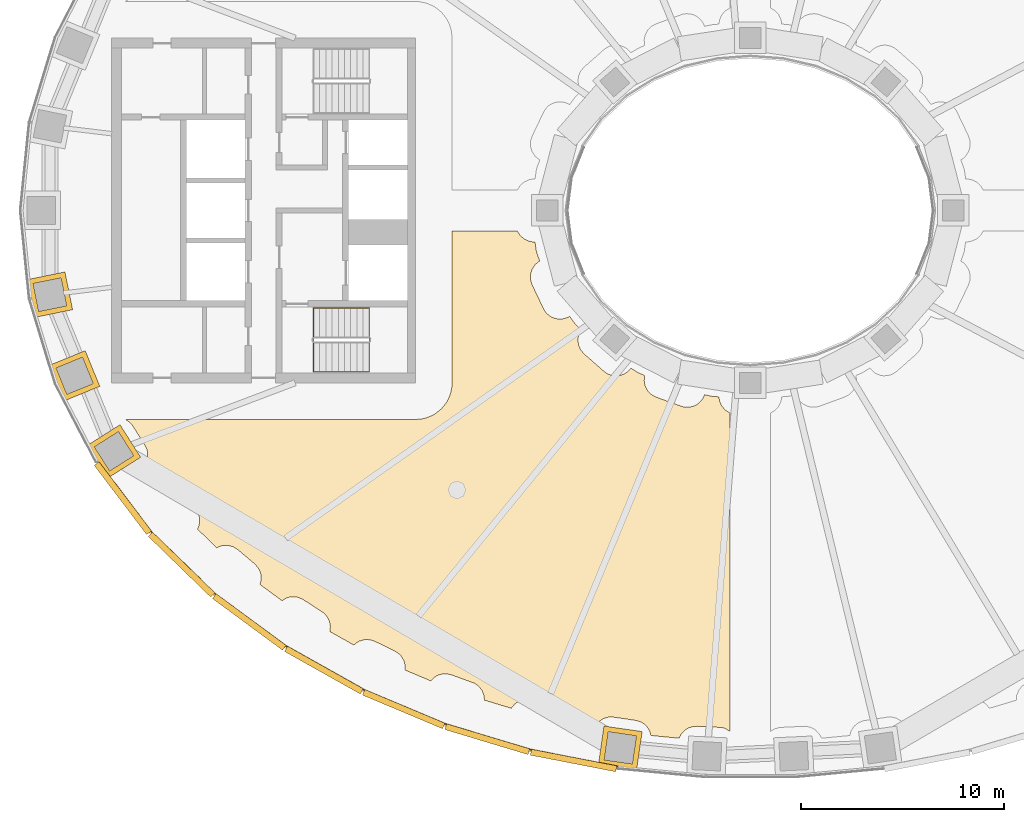
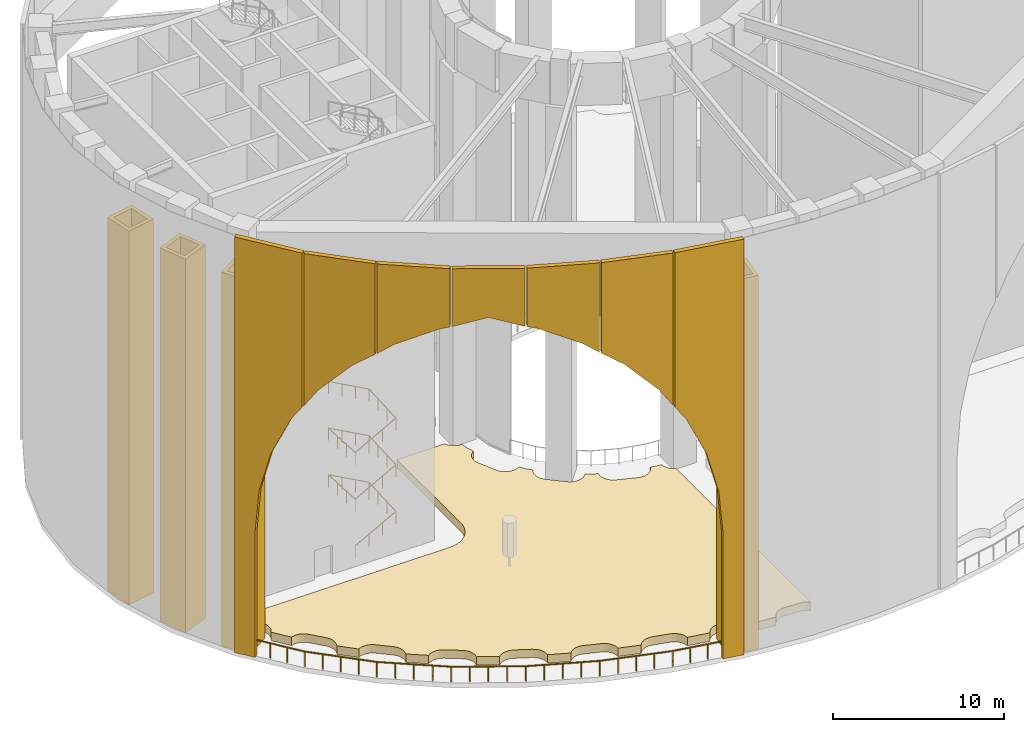
# One storey, part 14 of 26: 12 coverings, 2 railings.
"""IFC4 building model written with IfcOpenShell, lengths in metres."""

from ifc_helpers import new_model, si_unit, direction, frame, origin, origin_2d, place, context, subcontext, project, spatial, polyline, rectangle, outline, extrude, material, layer, layer_set, type_object, element, save


model = new_model("IFC4")

# Units and contexts
model_context = context("Model", 3, precision=1e-05, world=origin(), true_north=direction((0.0, 1.0)))
body_context = subcontext(model_context, "Body", "Model", "MODEL_VIEW")
ifc_project = project(units=[si_unit("LENGTHUNIT", "METRE"), si_unit("AREAUNIT", "SQUARE_METRE"), si_unit("VOLUMEUNIT", "CUBIC_METRE"), si_unit("PLANEANGLEUNIT", "RADIAN"), si_unit("MASSUNIT", "GRAM", prefix="KILO")], contexts=[model_context])

# Site, building, storey
site_placement = place(None, origin())
site = spatial("IfcSite", under=ifc_project, at=site_placement, CompositionType="ELEMENT")
building_placement = place(site_placement, origin())
building = spatial("IfcBuilding", under=site, at=building_placement, Name="Noorbagh Ring Tower", CompositionType="ELEMENT")
storey_placement = place(building_placement, frame((0.0, 0.0, 203.5)))
storey = spatial("IfcBuildingStorey", under=building, at=storey_placement, Name="L47", CompositionType="ELEMENT", Elevation=203.5)

# Railings
ifc_material_1 = material(Name="Stainless steel", Category="steel")
railing_type_1 = type_object("IfcRailingType", Name="CORE-STAIR-HANDRAIL", PredefinedType="HANDRAIL", material=ifc_material_1)
railing_1_placement = place(storey_placement, frame((-21.530029296875, -7.949951171875, 0.166748046875)))
element("IfcRailing", 1, at=railing_1_placement, inside=storey, type_object=railing_type_1, Name="L47 ST2 stair handrail", PredefinedType="HANDRAIL", context=body_context, shape_type="SweptSolid", body=[
    extrude(rectangle(XDim=0.048095703125, YDim=0.048095703125, at=origin_2d()), frame((0.0, 0.0, 0.8759765625), z_axis=(0.877537414544, 0.0, 0.479508171021), x_axis=(0.0, 1.0, 0.0)), (0.0, 0.0, 1.0), 3.128173828125),
    extrude(rectangle(XDim=0.048095703125, YDim=0.048095703125, at=origin_2d()), frame((2.7451171875, 0.0, 2.3759765625), z_axis=(0.0, 0.998605830047, 0.052786325848), x_axis=(-1.0, 0.0, 0.0)), (0.0, 0.0, 1.0), 3.154296875),
    extrude(rectangle(XDim=0.048095703125, YDim=0.048095703125, at=origin_2d()), frame((2.7451171875, 3.14990234375, 2.54248046875), z_axis=(-0.877537414544, 0.0, 0.479508171021), x_axis=(0.0, -1.0, 0.0)), (0.0, 0.0, 1.0), 3.128173828125),
    extrude(rectangle(XDim=0.048095703125, YDim=0.048095703125, at=origin_2d()), frame((0.0, 3.14990234375, 4.04248046875), z_axis=(0.0, -0.998601747152, 0.052863509014), x_axis=(1.0, 0.0, 0.0)), (0.0, 0.0, 1.0), 3.154296875),
    extrude(rectangle(XDim=0.048095703125, YDim=0.048095703125, at=origin_2d()), frame((0.0, 0.0, 4.208984375), z_axis=(0.877537414544, 0.0, 0.479508171021), x_axis=(0.0, 1.0, 0.0)), (0.0, 0.0, 1.0), 3.128173828125),
    extrude(rectangle(XDim=0.048095703125, YDim=0.048095703125, at=origin_2d()), frame((2.7451171875, 0.0, 5.708984375), z_axis=(0.0, 0.998601747152, 0.052863509014), x_axis=(-1.0, 0.0, 0.0)), (0.0, 0.0, 1.0), 3.154296875),
    extrude(rectangle(XDim=0.048095703125, YDim=0.048095703125, at=origin_2d()), frame((2.7451171875, 3.14990234375, 5.8759765625), z_axis=(-0.877537414544, 0.0, 0.479508171021), x_axis=(0.0, -1.0, 0.0)), (0.0, 0.0, 1.0), 3.128173828125),
    extrude(rectangle(XDim=0.048095703125, YDim=0.048095703125, at=origin_2d()), frame((0.0, 3.14990234375, 7.3759765625), z_axis=(0.0, -0.998605830047, 0.052786325848), x_axis=(1.0, 0.0, 0.0)), (0.0, 0.0, 1.0), 3.154296875),
    extrude(rectangle(XDim=0.048095703125, YDim=0.048095703125, at=origin_2d()), frame((0.0, 0.0, 7.54248046875), z_axis=(0.877537414544, 0.0, 0.479508171021), x_axis=(0.0, 1.0, 0.0)), (0.0, 0.0, 1.0), 3.128173828125),
    extrude(rectangle(XDim=0.048095703125, YDim=0.048095703125, at=origin_2d()), frame((2.7451171875, 0.0, 9.04248046875), z_axis=(0.0, 0.998601747152, 0.052863509014), x_axis=(-1.0, 0.0, 0.0)), (0.0, 0.0, 1.0), 3.154296875),
    extrude(rectangle(XDim=0.048095703125, YDim=0.048095703125, at=origin_2d()), frame((2.7451171875, 3.14990234375, 9.208984375), z_axis=(-0.877537414544, 0.0, 0.479508171021), x_axis=(0.0, -1.0, 0.0)), (0.0, 0.0, 1.0), 3.128173828125),
    extrude(rectangle(XDim=0.0419921875, YDim=0.0419921875, at=origin_2d()), origin(), (0.0, 0.0, 1.0), 0.851806640625),
    extrude(rectangle(XDim=0.0419921875, YDim=0.0419921875, at=origin_2d()), frame((0.9150390625, 0.0, 0.5)), (0.0, 0.0, 1.0), 0.851806640625),
    extrude(rectangle(XDim=0.0419921875, YDim=0.0419921875, at=origin_2d()), frame((1.830078125, 0.0, 1.0)), (0.0, 0.0, 1.0), 0.851806640625),
    extrude(rectangle(XDim=0.0419921875, YDim=0.0419921875, at=origin_2d()), frame((2.7451171875, 0.0, 1.5)), (0.0, 0.0, 1.0), 0.851806640625),
    extrude(rectangle(XDim=0.0419921875, YDim=0.0419921875, at=origin_2d()), frame((2.7451171875, 1.050048828125, 1.555419921875)), (0.0, 0.0, 1.0), 0.851806640625),
    extrude(rectangle(XDim=0.0419921875, YDim=0.0419921875, at=origin_2d()), frame((2.7451171875, 2.099853515625, 1.611083984375)), (0.0, 0.0, 1.0), 0.851806640625),
    extrude(rectangle(XDim=0.0419921875, YDim=0.0419921875, at=origin_2d()), frame((2.7451171875, 3.14990234375, 1.66650390625)), (0.0, 0.0, 1.0), 0.851806640625),
    extrude(rectangle(XDim=0.0419921875, YDim=0.0419921875, at=origin_2d()), frame((1.830078125, 3.14990234375, 2.16650390625)), (0.0, 0.0, 1.0), 0.851806640625),
    extrude(rectangle(XDim=0.0419921875, YDim=0.0419921875, at=origin_2d()), frame((0.9150390625, 3.14990234375, 2.66650390625)), (0.0, 0.0, 1.0), 0.851806640625),
    extrude(rectangle(XDim=0.0419921875, YDim=0.0419921875, at=origin_2d()), frame((0.0, 3.14990234375, 3.16650390625)), (0.0, 0.0, 1.0), 0.851806640625),
    extrude(rectangle(XDim=0.0419921875, YDim=0.0419921875, at=origin_2d()), frame((0.0, 2.099853515625, 3.22216796875)), (0.0, 0.0, 1.0), 0.851806640625),
    extrude(rectangle(XDim=0.0419921875, YDim=0.0419921875, at=origin_2d()), frame((0.0, 1.050048828125, 3.277587890625)), (0.0, 0.0, 1.0), 0.851806640625),
    extrude(rectangle(XDim=0.0419921875, YDim=0.0419921875, at=origin_2d()), frame((0.0, 0.0, 3.333251953125)), (0.0, 0.0, 1.0), 0.851806640625),
    extrude(rectangle(XDim=0.0419921875, YDim=0.0419921875, at=origin_2d()), frame((0.9150390625, 0.0, 3.833251953125)), (0.0, 0.0, 1.0), 0.851806640625),
    extrude(rectangle(XDim=0.0419921875, YDim=0.0419921875, at=origin_2d()), frame((1.830078125, 0.0, 4.333251953125)), (0.0, 0.0, 1.0), 0.851806640625),
    extrude(rectangle(XDim=0.0419921875, YDim=0.0419921875, at=origin_2d()), frame((2.7451171875, 0.0, 4.833251953125)), (0.0, 0.0, 1.0), 0.851806640625),
    extrude(rectangle(XDim=0.0419921875, YDim=0.0419921875, at=origin_2d()), frame((2.7451171875, 1.050048828125, 4.888916015625)), (0.0, 0.0, 1.0), 0.851806640625),
    extrude(rectangle(XDim=0.0419921875, YDim=0.0419921875, at=origin_2d()), frame((2.7451171875, 2.099853515625, 4.9443359375)), (0.0, 0.0, 1.0), 0.851806640625),
    extrude(rectangle(XDim=0.0419921875, YDim=0.0419921875, at=origin_2d()), frame((2.7451171875, 3.14990234375, 5.0)), (0.0, 0.0, 1.0), 0.851806640625),
    extrude(rectangle(XDim=0.0419921875, YDim=0.0419921875, at=origin_2d()), frame((1.830078125, 3.14990234375, 5.5)), (0.0, 0.0, 1.0), 0.851806640625),
    extrude(rectangle(XDim=0.0419921875, YDim=0.0419921875, at=origin_2d()), frame((0.9150390625, 3.14990234375, 6.0)), (0.0, 0.0, 1.0), 0.851806640625),
    extrude(rectangle(XDim=0.0419921875, YDim=0.0419921875, at=origin_2d()), frame((0.0, 3.14990234375, 6.5)), (0.0, 0.0, 1.0), 0.851806640625),
    extrude(rectangle(XDim=0.0419921875, YDim=0.0419921875, at=origin_2d()), frame((0.0, 2.099853515625, 6.555419921875)), (0.0, 0.0, 1.0), 0.851806640625),
    extrude(rectangle(XDim=0.0419921875, YDim=0.0419921875, at=origin_2d()), frame((0.0, 1.050048828125, 6.611083984375)), (0.0, 0.0, 1.0), 0.851806640625),
    extrude(rectangle(XDim=0.0419921875, YDim=0.0419921875, at=origin_2d()), frame((0.0, 0.0, 6.66650390625)), (0.0, 0.0, 1.0), 0.851806640625),
    extrude(rectangle(XDim=0.0419921875, YDim=0.0419921875, at=origin_2d()), frame((0.9150390625, 0.0, 7.16650390625)), (0.0, 0.0, 1.0), 0.851806640625),
    extrude(rectangle(XDim=0.0419921875, YDim=0.0419921875, at=origin_2d()), frame((1.830078125, 0.0, 7.66650390625)), (0.0, 0.0, 1.0), 0.851806640625),
    extrude(rectangle(XDim=0.0419921875, YDim=0.0419921875, at=origin_2d()), frame((2.7451171875, 0.0, 8.16650390625)), (0.0, 0.0, 1.0), 0.851806640625),
    extrude(rectangle(XDim=0.0419921875, YDim=0.0419921875, at=origin_2d()), frame((2.7451171875, 1.050048828125, 8.22216796875)), (0.0, 0.0, 1.0), 0.851806640625),
    extrude(rectangle(XDim=0.0419921875, YDim=0.0419921875, at=origin_2d()), frame((2.7451171875, 2.099853515625, 8.277587890625)), (0.0, 0.0, 1.0), 0.851806640625),
    extrude(rectangle(XDim=0.0419921875, YDim=0.0419921875, at=origin_2d()), frame((2.7451171875, 3.14990234375, 8.333251953125)), (0.0, 0.0, 1.0), 0.851806640625),
    extrude(rectangle(XDim=0.0419921875, YDim=0.0419921875, at=origin_2d()), frame((1.830078125, 3.14990234375, 8.833251953125)), (0.0, 0.0, 1.0), 0.851806640625),
    extrude(rectangle(XDim=0.0419921875, YDim=0.0419921875, at=origin_2d()), frame((0.9150390625, 3.14990234375, 9.333251953125)), (0.0, 0.0, 1.0), 0.851806640625),
    extrude(rectangle(XDim=0.0419921875, YDim=0.0419921875, at=origin_2d()), frame((0.0, 3.14990234375, 9.833251953125)), (0.0, 0.0, 1.0), 0.851806640625),
])
ifc_material_2 = material(Name="Stainless steel 316", Category="steel")
railing_type_2 = type_object("IfcRailingType", Name="ENV-GUARD-TERRACE", PredefinedType="GUARDRAIL", material=ifc_material_2)
railing_2_placement = place(storey_placement, frame((-32.153564453125, -12.370361328125, 0.0)))
element("IfcRailing", 2, at=railing_2_placement, inside=storey, type_object=railing_type_2, Name="Terrace guard arc 3", PredefinedType="GUARDRAIL", context=body_context, shape_type="SweptSolid", body=[
    extrude(rectangle(XDim=0.048095703125, YDim=0.048095703125, at=origin_2d()), frame((0.0, 0.0, 1.076171875), z_axis=(0.604055847, -0.796941988921, 0.0), x_axis=(0.796941988921, 0.604055847, 0.0)), (0.0, 0.0, 1.0), 4.3642578125),
    extrude(rectangle(XDim=0.048095703125, YDim=0.048095703125, at=origin_2d()), frame((2.63623046875, -3.47802734375, 1.076171875), z_axis=(0.717208327463, -0.696858820004, 0.0), x_axis=(0.696858820004, 0.717208327463, 0.0)), (0.0, 0.0, 1.0), 4.366943359375),
    extrude(rectangle(XDim=0.048095703125, YDim=0.048095703125, at=origin_2d()), frame((5.768310546875, -6.521240234375, 1.076171875), z_axis=(0.80514009704, -0.593084668609, 0.0), x_axis=(0.593084668609, 0.80514009704, 0.0)), (0.0, 0.0, 1.0), 4.369140625),
    extrude(rectangle(XDim=0.048095703125, YDim=0.048095703125, at=origin_2d()), frame((9.2861328125, -9.112548828125, 1.076171875), z_axis=(0.872049444011, -0.489417783903, 0.0), x_axis=(0.489417783903, 0.872049444011, 0.0)), (0.0, 0.0, 1.0), 4.371337890625),
    extrude(rectangle(XDim=0.048095703125, YDim=0.048095703125, at=origin_2d()), frame((13.09814453125, -11.251953125, 1.076171875), z_axis=(0.921826545382, -0.387602657665, 0.0), x_axis=(0.387602657665, 0.921826545382, 0.0)), (0.0, 0.0, 1.0), 4.37255859375),
    extrude(rectangle(XDim=0.048095703125, YDim=0.048095703125, at=origin_2d()), frame((17.12890625, -12.94677734375, 1.076171875), z_axis=(0.957572423234, -0.288192738045, 0.0), x_axis=(0.288192738045, 0.957572423234, 0.0)), (0.0, 0.0, 1.0), 4.373779296875),
    extrude(rectangle(XDim=0.048095703125, YDim=0.048095703125, at=origin_2d()), frame((21.317138671875, -14.207275390625, 1.076171875), z_axis=(0.981624683619, -0.190821855429, 0.0), x_axis=(0.190821855429, 0.981624683619, 0.0)), (0.0, 0.0, 1.0), 4.374267578125),
    extrude(rectangle(XDim=0.0419921875, YDim=0.0419921875, at=origin_2d()), origin(), (0.0, 0.0, 1.0), 1.052001953125),
    extrude(rectangle(XDim=0.0419921875, YDim=0.0419921875, at=origin_2d()), frame((0.6591796875, -0.86962890625, 0.0)), (0.0, 0.0, 1.0), 1.052001953125),
    extrude(rectangle(XDim=0.0419921875, YDim=0.0419921875, at=origin_2d()), frame((1.318115234375, -1.739013671875, 0.0)), (0.0, 0.0, 1.0), 1.052001953125),
    extrude(rectangle(XDim=0.0419921875, YDim=0.0419921875, at=origin_2d()), frame((1.97705078125, -2.6083984375, 0.0)), (0.0, 0.0, 1.0), 1.052001953125),
    extrude(rectangle(XDim=0.0419921875, YDim=0.0419921875, at=origin_2d()), frame((2.63623046875, -3.47802734375, 0.0)), (0.0, 0.0, 1.0), 1.052001953125),
    extrude(rectangle(XDim=0.0419921875, YDim=0.0419921875, at=origin_2d()), frame((3.419189453125, -4.23876953125, 0.0)), (0.0, 0.0, 1.0), 1.052001953125),
    extrude(rectangle(XDim=0.0419921875, YDim=0.0419921875, at=origin_2d()), frame((4.2021484375, -4.99951171875, 0.0)), (0.0, 0.0, 1.0), 1.052001953125),
    extrude(rectangle(XDim=0.0419921875, YDim=0.0419921875, at=origin_2d()), frame((4.9853515625, -5.760498046875, 0.0)), (0.0, 0.0, 1.0), 1.052001953125),
    extrude(rectangle(XDim=0.0419921875, YDim=0.0419921875, at=origin_2d()), frame((5.768310546875, -6.521240234375, 0.0)), (0.0, 0.0, 1.0), 1.052001953125),
    extrude(rectangle(XDim=0.0419921875, YDim=0.0419921875, at=origin_2d()), frame((6.647705078125, -7.1689453125, 0.0)), (0.0, 0.0, 1.0), 1.052001953125),
    extrude(rectangle(XDim=0.0419921875, YDim=0.0419921875, at=origin_2d()), frame((7.52734375, -7.81689453125, 0.0)), (0.0, 0.0, 1.0), 1.052001953125),
    extrude(rectangle(XDim=0.0419921875, YDim=0.0419921875, at=origin_2d()), frame((8.40673828125, -8.46484375, 0.0)), (0.0, 0.0, 1.0), 1.052001953125),
    extrude(rectangle(XDim=0.0419921875, YDim=0.0419921875, at=origin_2d()), frame((9.2861328125, -9.112548828125, 0.0)), (0.0, 0.0, 1.0), 1.052001953125),
    extrude(rectangle(XDim=0.0419921875, YDim=0.0419921875, at=origin_2d()), frame((10.2392578125, -9.6474609375, 0.0)), (0.0, 0.0, 1.0), 1.052001953125),
    extrude(rectangle(XDim=0.0419921875, YDim=0.0419921875, at=origin_2d()), frame((11.192138671875, -10.18212890625, 0.0)), (0.0, 0.0, 1.0), 1.052001953125),
    extrude(rectangle(XDim=0.0419921875, YDim=0.0419921875, at=origin_2d()), frame((12.14501953125, -10.717041015625, 0.0)), (0.0, 0.0, 1.0), 1.052001953125),
    extrude(rectangle(XDim=0.0419921875, YDim=0.0419921875, at=origin_2d()), frame((13.09814453125, -11.251953125, 0.0)), (0.0, 0.0, 1.0), 1.052001953125),
    extrude(rectangle(XDim=0.0419921875, YDim=0.0419921875, at=origin_2d()), frame((14.10595703125, -11.67578125, 0.0)), (0.0, 0.0, 1.0), 1.052001953125),
    extrude(rectangle(XDim=0.0419921875, YDim=0.0419921875, at=origin_2d()), frame((15.113525390625, -12.099365234375, 0.0)), (0.0, 0.0, 1.0), 1.052001953125),
    extrude(rectangle(XDim=0.0419921875, YDim=0.0419921875, at=origin_2d()), frame((16.12109375, -12.52294921875, 0.0)), (0.0, 0.0, 1.0), 1.052001953125),
    extrude(rectangle(XDim=0.0419921875, YDim=0.0419921875, at=origin_2d()), frame((17.12890625, -12.94677734375, 0.0)), (0.0, 0.0, 1.0), 1.052001953125),
    extrude(rectangle(XDim=0.0419921875, YDim=0.0419921875, at=origin_2d()), frame((18.176025390625, -13.261962890625, 0.0)), (0.0, 0.0, 1.0), 1.052001953125),
    extrude(rectangle(XDim=0.0419921875, YDim=0.0419921875, at=origin_2d()), frame((19.22314453125, -13.5771484375, 0.0)), (0.0, 0.0, 1.0), 1.052001953125),
    extrude(rectangle(XDim=0.0419921875, YDim=0.0419921875, at=origin_2d()), frame((20.27001953125, -13.89208984375, 0.0)), (0.0, 0.0, 1.0), 1.052001953125),
    extrude(rectangle(XDim=0.0419921875, YDim=0.0419921875, at=origin_2d()), frame((21.317138671875, -14.207275390625, 0.0)), (0.0, 0.0, 1.0), 1.052001953125),
    extrude(rectangle(XDim=0.0419921875, YDim=0.0419921875, at=origin_2d()), frame((22.390625, -14.416015625, 0.0)), (0.0, 0.0, 1.0), 1.052001953125),
    extrude(rectangle(XDim=0.0419921875, YDim=0.0419921875, at=origin_2d()), frame((23.464111328125, -14.62451171875, 0.0)), (0.0, 0.0, 1.0), 1.052001953125),
    extrude(rectangle(XDim=0.0419921875, YDim=0.0419921875, at=origin_2d()), frame((24.53759765625, -14.833251953125, 0.0)), (0.0, 0.0, 1.0), 1.052001953125),
    extrude(rectangle(XDim=0.0419921875, YDim=0.0419921875, at=origin_2d()), frame((25.611083984375, -15.0419921875, 0.0)), (0.0, 0.0, 1.0), 1.052001953125),
])

# Coverings
ifc_material_3 = material(Name="Concrete C30/37 planter with soil", Category="concrete")
covering_type_1 = type_object("IfcCoveringType", Name="ENV-PLANTER", PredefinedType="CLADDING", material=ifc_material_3)
covering_1_placement = place(storey_placement, origin())
element("IfcCovering", 3, at=covering_1_placement, inside=storey, type_object=covering_type_1, Name="PLANTER bed 01", ObjectType="PLANTER", PredefinedType="CLADDING", context=body_context, shape_type="SweptSolid", body=[
    extrude(outline(polyline([(-1.0, -25.677734375), (-1.265625, -25.52685546875), (-1.43701171875, -25.484375), (-2.62353515625, -25.423583984375), (-2.7998046875, -25.432373046875), (-3.052490234375, -25.509521484375), (-3.20361328125, -25.600341796875), (-3.39013671875, -25.787353515625), (-3.51171875, -26.013916015625), (-4.898193359375, -25.881591796875), (-4.97412109375, -25.637451171875), (-5.065185546875, -25.486328125), (-5.252685546875, -25.30029296875), (-5.404296875, -25.210205078125), (-5.657470703125, -25.134521484375), (-6.74609375, -24.97705078125), (-7.01025390625, -24.97802734375), (-7.2626953125, -25.0556640625), (-7.481689453125, -25.203125), (-7.599853515625, -25.33447265625), (-7.68603515625, -25.478515625), (-9.0498046875, -25.21337890625), (-9.10107421875, -24.965576171875), (-9.226318359375, -24.73291015625), (-9.41357421875, -24.546875), (-9.64697265625, -24.423095703125), (-10.799560546875, -24.134033203125), (-11.0625, -24.10888671875), (-11.23681640625, -24.135498046875), (-11.48046875, -24.2373046875), (-11.621826171875, -24.343017578125), (-11.78271484375, -24.53857421875), (-13.10693359375, -24.139892578125), (-13.132568359375, -23.89208984375), (-13.233154296875, -23.64794921875), (-13.400390625, -23.443603515625), (-13.619873046875, -23.29638671875), (-14.736572265625, -22.890380859375), (-14.99560546875, -22.83837890625), (-15.25830078125, -22.864013671875), (-15.424560546875, -22.923095703125), (-15.575927734375, -23.013427734375), (-15.75341796875, -23.188232421875), (-17.019775390625, -22.65576171875), (-17.018798828125, -22.412353515625), (-17.059326171875, -22.240478515625), (-17.180908203125, -22.006103515625), (-17.297607421875, -21.873779296875), (-17.515380859375, -21.724365234375), (-18.503662109375, -21.2412109375), (-18.75537109375, -21.1611328125), (-19.019287109375, -21.15771484375), (-19.273193359375, -21.231201171875), (-19.425537109375, -21.320068359375), (-19.54296875, -21.422119140625), (-20.72998046875, -20.755859375), (-20.701904296875, -20.521484375), (-20.74462890625, -20.260986328125), (-20.861572265625, -20.024169921875), (-21.0419921875, -19.831298828125), (-22.0380859375, -19.183349609375), (-22.278564453125, -19.07421875), (-22.4521484375, -19.04248046875), (-22.7158203125, -19.059814453125), (-22.883544921875, -19.11376953125), (-23.085205078125, -19.235595703125), (-24.168212890625, -18.43798828125), (-24.11328125, -18.21826171875), (-24.110595703125, -18.0419921875), (-24.142333984375, -17.868408203125), (-24.251708984375, -17.627685546875), (-24.42578125, -17.429443359375), (-25.26513671875, -16.718505859375), (-25.489501953125, -16.5791015625), (-25.744873046875, -16.510986328125), (-26.0087890625, -16.519775390625), (-26.17822265625, -16.568359375), (-26.302001953125, -16.6298828125), (-27.25244140625, -15.706787109375), (-27.19873046875, -15.59130859375), (-27.15380859375, -15.420654296875), (-27.150634765625, -15.156494140625), (-27.224365234375, -14.903076171875), (-27.368408203125, -14.681640625), (-28.097412109375, -13.85791015625), (-28.29931640625, -13.687744140625), (-28.542236328125, -13.583740234375), (-28.71630859375, -13.555908203125), (-28.892578125, -13.5625), (-29.10009765625, -13.617431640625), (-29.886474609375, -12.580078125), (-29.783203125, -12.40576171875), (-29.712890625, -12.151123046875), (-29.71923828125, -11.88720703125), (-29.766357421875, -11.717041015625), (-29.845703125, -11.5595703125), (-30.4853515625, -10.55810546875), (-30.607177734375, -10.430419921875), (-30.80859375, -10.300048828125), (-16.5, -10.300048828125), (-16.148681640625, -10.265380859375), (-15.9775390625, -10.222412109375), (-15.651611328125, -10.08740234375), (-15.5, -9.99658203125), (-15.227294921875, -9.772705078125), (-15.00341796875, -9.5), (-14.91259765625, -9.348388671875), (-14.777587890625, -9.0224609375), (-14.708740234375, -8.676513671875), (-14.699951171875, -1.0), (-11.4873046875, -1.0), (-11.35400390625, -1.220947265625), (-11.158447265625, -1.398193359375), (-10.919677734375, -1.51123046875), (-10.74658203125, -1.545654296875), (-10.61376953125, -1.550048828125), (-10.55078125, -1.985595703125), (-10.5126953125, -2.13134765625), (-10.375244140625, -2.492431640625), (-10.478515625, -2.5576171875), (-10.609130859375, -2.67626953125), (-10.755615234375, -2.89599609375), (-10.831787109375, -3.14892578125), (-10.83154296875, -3.4130859375), (-10.754638671875, -3.66552734375), (-10.155517578125, -4.91796875), (-10.05029296875, -5.0595703125), (-9.91943359375, -5.177978515625), (-9.76806640625, -5.268310546875), (-9.601806640625, -5.32763671875), (-9.42724609375, -5.353271484375), (-9.251220703125, -5.344482421875), (-9.080078125, -5.30126953125), (-8.904541015625, -5.222900390625), (-8.61474609375, -5.61767578125), (-8.341552734375, -5.884765625), (-8.451416015625, -6.102294921875), (-8.4990234375, -6.3623046875), (-8.468994140625, -6.62451171875), (-8.364501953125, -6.8671875), (-8.19384765625, -7.068603515625), (-7.21728515625, -7.927001953125), (-7.07421875, -8.030029296875), (-6.91357421875, -8.10302734375), (-6.74169921875, -8.143310546875), (-6.5654296875, -8.1494140625), (-6.391357421875, -8.120849609375), (-6.22607421875, -8.058837890625), (-6.076171875, -7.9658203125), (-5.88671875, -7.7763671875), (-5.518798828125, -7.9990234375), (-5.207275390625, -8.133544921875), (-5.23388671875, -8.391357421875), (-5.184326171875, -8.650634765625), (-5.0615234375, -8.884521484375), (-4.876220703125, -9.07275390625), (-4.644287109375, -9.198974609375), (-3.339111328125, -9.672119140625), (-3.164794921875, -9.699462890625), (-2.988525390625, -9.69189453125), (-2.817138671875, -9.650390625), (-2.656982421875, -9.576171875), (-2.5146484375, -9.47216796875), (-2.395263671875, -9.34228515625), (-2.303466796875, -9.191650390625), (-2.2568359375, -9.0771484375), (-1.889404296875, -9.1572265625), (-1.54833984375, -9.188232421875), (-1.51123046875, -9.4140625), (-1.398193359375, -9.65283203125), (-1.220947265625, -9.8486328125), (-1.0, -9.981689453125), (-1.0, -25.677734375)])), origin(), (0.0, 0.0, 1.0), 0.60009765625),
])
ifc_material_4 = material(Name="Sandstone cladding", Category="masonry")
ifc_layer_1 = layer(ifc_material_4, 0.300048828125)
ifc_layer_set_1 = layer_set([ifc_layer_1], Name="Sandstone cladding")
covering_type_2 = type_object("IfcCoveringType", Name="STYLE-IWAN", PredefinedType="CLADDING", material=ifc_layer_set_1)
covering_2_placement = place(storey_placement, frame((-30.811767578125, -14.0908203125, 0.0), z_axis=(-0.796969018776, -0.604020184358, 0.0), x_axis=(0.604020184358, -0.796969018776, 0.0)))
element("IfcCovering", 4, at=covering_2_placement, inside=storey, type_object=covering_type_2, Name="Gateway frame F27", ObjectType="ARCH", PredefinedType="CLADDING", context=body_context, shape_type="SweptSolid", body=[
    extrude(outline(polyline([(-2.1416015625, 0.0), (-0.846435546875, 0.0), (-0.846435546875, 9.0), (-0.5908203125, 11.985595703125), (0.16845703125, 14.884521484375), (1.409423828125, 17.61181640625), (2.1416015625, 18.687255859375), (2.1416015625, 29.699951171875), (-2.1416015625, 29.699951171875), (-2.1416015625, 0.0)])), origin(), (0.0, 0.0, 1.0), 0.300048828125),
])
covering_3_placement = place(storey_placement, frame((-27.930908203125, -17.34814453125, 0.0), z_axis=(-0.696842125038, -0.717224548362, 0.0), x_axis=(0.717224548362, -0.696842125038, 0.0)))
element("IfcCovering", 5, at=covering_3_placement, inside=storey, type_object=covering_type_2, Name="Gateway frame F28", ObjectType="ARCH", PredefinedType="CLADDING", context=body_context, shape_type="SweptSolid", body=[
    extrude(outline(polyline([(-2.14208984375, 29.699951171875), (-2.14208984375, 18.833984375), (-1.287841796875, 20.088623046875), (0.795166015625, 22.242919921875), (2.14208984375, 23.227783203125), (2.14208984375, 29.699951171875), (-2.14208984375, 29.699951171875)])), origin(), (0.0, 0.0, 1.0), 0.300048828125),
])
covering_4_placement = place(storey_placement, frame((-24.60888671875, -20.162841796875, 0.0), z_axis=(-0.593067090304, -0.805153045326, 0.0), x_axis=(0.805153045326, -0.593067090304, 0.0)))
element("IfcCovering", 6, at=covering_4_placement, inside=storey, type_object=covering_type_2, Name="Gateway frame F29", ObjectType="ARCH", PredefinedType="CLADDING", context=body_context, shape_type="SweptSolid", body=[
    extrude(outline(polyline([(-2.142578125, 29.699951171875), (-2.142578125, 23.301025390625), (-1.170654296875, 24.01171875), (1.513671875, 25.34375), (2.142578125, 25.53125), (2.142578125, 29.699951171875), (-2.142578125, 29.699951171875)])), origin(), (0.0, 0.0, 1.0), 0.300048828125),
])
covering_5_placement = place(storey_placement, frame((-20.947021484375, -22.526123046875, 0.0), z_axis=(-0.48942643941, -0.872044586249, 0.0), x_axis=(0.872044586249, -0.48942643941, 0.0)))
element("IfcCovering", 7, at=covering_5_placement, inside=storey, type_object=covering_type_2, Name="Gateway frame F30", ObjectType="ARCH", PredefinedType="CLADDING", context=body_context, shape_type="SweptSolid", body=[
    extrude(outline(polyline([(-2.142578125, 29.699951171875), (-2.142578125, 25.56103515625), (0.0, 26.199951171875), (2.142578125, 25.56103515625), (2.142578125, 29.699951171875), (-2.142578125, 29.699951171875)])), origin(), (0.0, 0.0, 1.0), 0.300048828125),
])
covering_6_placement = place(storey_placement, frame((-17.028564453125, -24.44189453125, 0.0), z_axis=(-0.387638279686, -0.921811566494, 0.0), x_axis=(0.921811566494, -0.387638279686, 0.0)))
element("IfcCovering", 8, at=covering_6_placement, inside=storey, type_object=covering_type_2, Name="Gateway frame F31", ObjectType="ARCH", PredefinedType="CLADDING", context=body_context, shape_type="SweptSolid", body=[
    extrude(outline(polyline([(-2.142822265625, 29.699951171875), (-2.142822265625, 25.53125), (-1.513916015625, 25.34375), (1.170166015625, 24.01171875), (2.142822265625, 23.30029296875), (2.142822265625, 29.699951171875), (-2.142822265625, 29.699951171875)])), origin(), (0.0, 0.0, 1.0), 0.300048828125),
])
covering_7_placement = place(storey_placement, frame((-12.922119140625, -25.918701171875, 0.0), z_axis=(-0.28817445525, -0.957577925467, 0.0), x_axis=(0.957577925467, -0.28817445525, 0.0)))
element("IfcCovering", 9, at=covering_7_placement, inside=storey, type_object=covering_type_2, Name="Gateway frame F32", ObjectType="ARCH", PredefinedType="CLADDING", context=body_context, shape_type="SweptSolid", body=[
    extrude(outline(polyline([(-2.14306640625, 29.699951171875), (-2.14306640625, 23.227294921875), (-0.797119140625, 22.242919921875), (1.285888671875, 20.088623046875), (2.14306640625, 18.830078125), (2.14306640625, 29.699951171875), (-2.14306640625, 29.699951171875)])), origin(), (0.0, 0.0, 1.0), 0.300048828125),
])
covering_8_placement = place(storey_placement, frame((-8.683837890625, -26.965576171875, 0.0), z_axis=(-0.190820470077, -0.981624952922, 0.0), x_axis=(0.981624952922, -0.190820470077, 0.0)))
element("IfcCovering", 10, at=covering_8_placement, inside=storey, type_object=covering_type_2, Name="Gateway frame F33", ObjectType="ARCH", PredefinedType="CLADDING", context=body_context, shape_type="SweptSolid", body=[
    extrude(outline(polyline([(-2.14306640625, 29.699951171875), (-2.14306640625, 18.68310546875), (-1.41357421875, 17.61181640625), (-0.172607421875, 14.884521484375), (0.586669921875, 11.985595703125), (0.84228515625, 9.0), (0.84228515625, 0.0), (2.14306640625, 0.0), (2.14306640625, 29.699951171875), (-2.14306640625, 29.699951171875)])), origin(), (0.0, 0.0, 1.0), 0.300048828125),
])
ifc_material_5 = material(Name="Sandstone cladding", Category="masonry")
ifc_layer_2 = layer(ifc_material_5, 0.25)
ifc_layer_set_2 = layer_set([ifc_layer_2], Name="Sandstone cladding")
covering_type_3 = type_object("IfcCoveringType", Name="STYLE-IWAN-PIER", PredefinedType="CLADDING", material=ifc_layer_set_2)
covering_9_placement = place(storey_placement, origin())
element("IfcCovering", 11, at=covering_9_placement, inside=storey, type_object=covering_type_3, Name="Pier casing R1-25", ObjectType="PIER", PredefinedType="CLADDING", context=body_context, shape_type="SweptSolid", body=[
    extrude(outline(polyline([(-35.6455078125, -3.40673828125), (-33.78271484375, -3.031982421875), (-33.408203125, -4.89453125), (-35.270751953125, -5.269287109375), (-35.6455078125, -3.40673828125)]), holes=[polyline([(-35.35107421875, -3.6025390625), (-35.074951171875, -4.97509765625), (-33.702392578125, -4.698974609375), (-33.978515625, -3.326416015625), (-35.35107421875, -3.6025390625)])]), origin(), (0.0, 0.0, 1.0), 26.699951171875),
])
covering_10_placement = place(storey_placement, origin())
element("IfcCovering", 12, at=covering_10_placement, inside=storey, type_object=covering_type_3, Name="Pier casing R1-26", ObjectType="PIER", PredefinedType="CLADDING", context=body_context, shape_type="SweptSolid", body=[
    extrude(outline(polyline([(-34.54443359375, -7.630126953125), (-32.7861328125, -6.91015625), (-32.06591796875, -8.66845703125), (-33.82421875, -9.388427734375), (-34.54443359375, -7.630126953125)]), holes=[polyline([(-34.21826171875, -7.766845703125), (-33.687744140625, -9.0625), (-32.39208984375, -8.53173828125), (-32.922607421875, -7.236328125), (-34.21826171875, -7.766845703125)])]), origin(), (0.0, 0.0, 1.0), 26.699951171875),
])
covering_11_placement = place(storey_placement, origin())
element("IfcCovering", 13, at=covering_11_placement, inside=storey, type_object=covering_type_3, Name="Pier casing R1-27", ObjectType="PIER", PredefinedType="CLADDING", context=body_context, shape_type="SweptSolid", body=[
    extrude(outline(polyline([(-32.67578125, -11.576904296875), (-31.07080078125, -10.56005859375), (-30.05419921875, -12.1650390625), (-31.6591796875, -13.181884765625), (-32.67578125, -11.576904296875)]), holes=[polyline([(-32.330810546875, -11.654296875), (-31.581787109375, -12.8369140625), (-30.399169921875, -12.087646484375), (-31.148193359375, -10.905029296875), (-32.330810546875, -11.654296875)])]), origin(), (0.0, 0.0, 1.0), 26.699951171875),
])
covering_12_placement = place(storey_placement, origin())
element("IfcCovering", 14, at=covering_12_placement, inside=storey, type_object=covering_type_3, Name="Pier casing R1-34", ObjectType="PIER", PredefinedType="CLADDING", context=body_context, shape_type="SweptSolid", body=[
    extrude(outline(polyline([(-7.4853515625, -27.295166015625), (-7.213623046875, -25.414794921875), (-5.3330078125, -25.6865234375), (-5.60498046875, -27.56689453125), (-7.4853515625, -27.295166015625)]), holes=[polyline([(-7.2021484375, -27.08349609375), (-5.816650390625, -27.28369140625), (-5.6162109375, -25.898193359375), (-7.001953125, -25.697998046875), (-7.2021484375, -27.08349609375)])]), origin(), (0.0, 0.0, 1.0), 26.699951171875),
])

save(model, "model.ifc")
